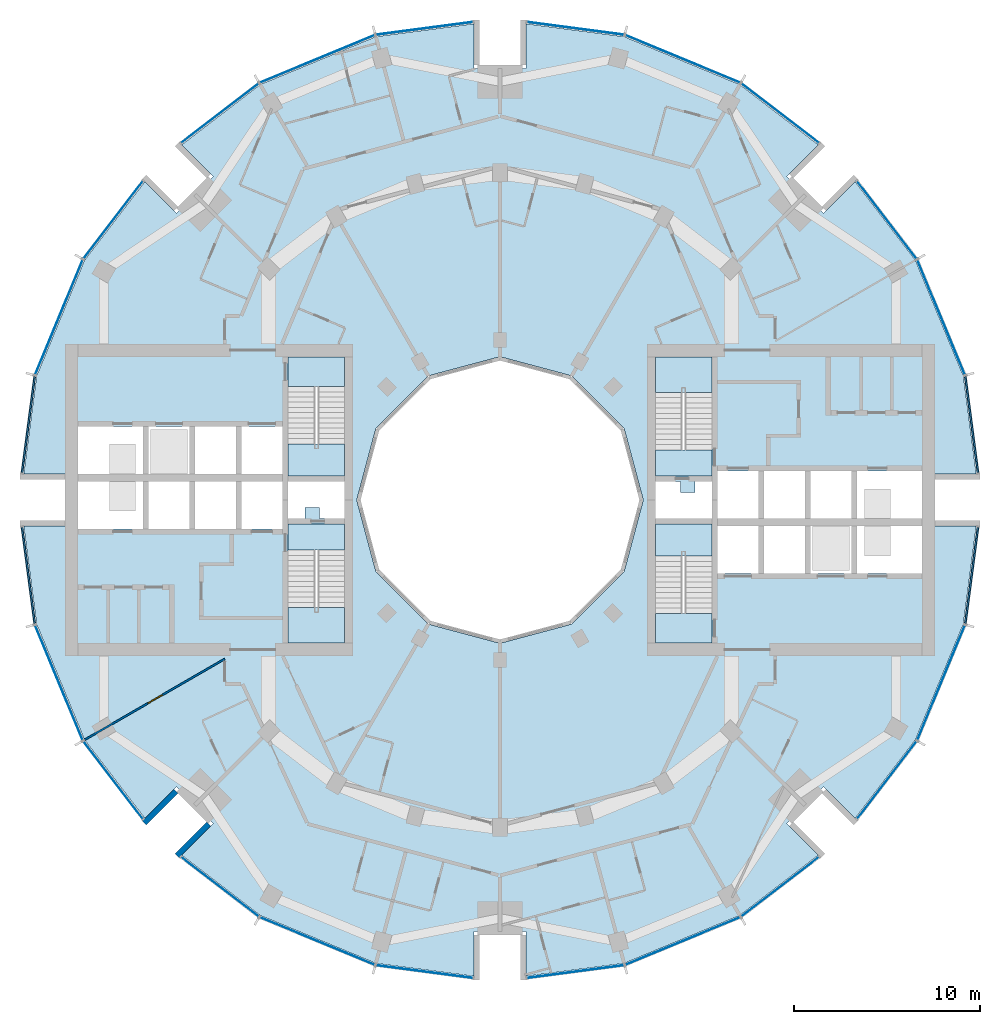
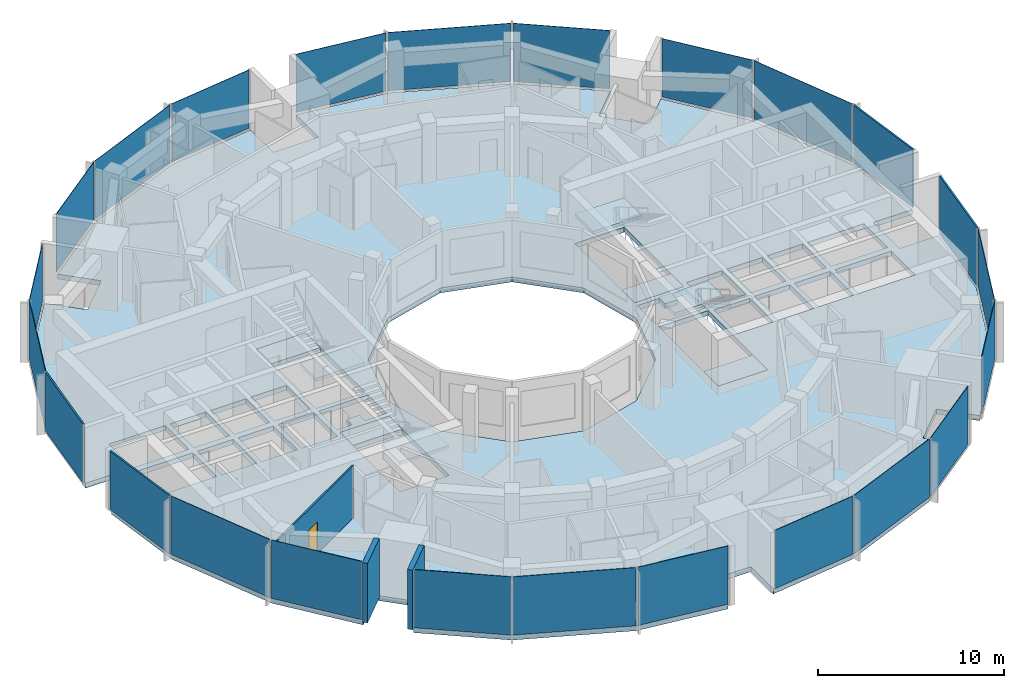
# One storey, part 7 of 15: 24 plates, 9 slabs, 3 walls, 1 door, 1 opening, 28 elements without a shape of their own.
"""IFC4 building model written with IfcOpenShell, lengths in metres."""

from ifc_helpers import new_model, si_unit, direction, frame, frame_2d, origin, origin_2d, place, context, subcontext, project, spatial, polyline, rectangle, outline, extrude, material, layer, layer_set, type_object, element, fill, aggregate, save


model = new_model("IFC4")

# Units and contexts
model_context = context("Model", 3, precision=1e-05, world=origin(), true_north=direction((0.0, 1.0)))
body_context = subcontext(model_context, "Body", "Model", "MODEL_VIEW")
ifc_project = project(units=[si_unit("LENGTHUNIT", "METRE"), si_unit("AREAUNIT", "SQUARE_METRE"), si_unit("VOLUMEUNIT", "CUBIC_METRE"), si_unit("PLANEANGLEUNIT", "RADIAN"), si_unit("MASSUNIT", "GRAM", prefix="KILO")], contexts=[model_context])

# Site, building, storey
site_placement = place(None, origin())
site = spatial("IfcSite", under=ifc_project, at=site_placement, CompositionType="ELEMENT")
building_placement = place(site_placement, origin())
building = spatial("IfcBuilding", under=site, at=building_placement, Name="Torre Brocal", CompositionType="ELEMENT")
storey_placement = place(building_placement, frame((0.0, 0.0, 130.199951171875)))
storey = spatial("IfcBuildingStorey", under=building, at=storey_placement, Name="L30", CompositionType="ELEMENT", Elevation=130.199951171875)

# Curtain wall, plate
ifc_material_1 = material(Name="Aluminium and glass", Category="aluminium")
ifc_layer_1 = layer(ifc_material_1, 0.199951171875)
ifc_layer_set_1 = layer_set([ifc_layer_1], Name="Aluminium and glass")
curtain_wall_type_1 = type_object("IfcCurtainWallType", Name="CW-1 CURTAIN WALL 3900 HIGH", PredefinedType="NOTDEFINED", material=ifc_layer_set_1)
curtain_wall_1_placement = place(storey_placement, origin())
curtain_wall_1 = element("IfcCurtainWall", 1, at=curtain_wall_1_placement, inside=storey, type_object=curtain_wall_type_1, Name="CW-1 RUN 2", PredefinedType="NOTDEFINED")
ifc_material_2 = material(Name="Glass, dark tinted laminated", Category="glass")
ifc_layer_2 = layer(ifc_material_2, 0.031982421875)
ifc_layer_set_2 = layer_set([ifc_layer_2], Name="Glass, dark tinted laminated")
plate_type_1 = type_object("IfcPlateType", Name="CW-1 GLASS PANEL 32", PredefinedType="CURTAIN_PANEL", material=ifc_layer_set_2)
plate_1_placement = place(storey_placement, frame((103.722900390625, 84.826416015625, 0.080078125), z_axis=(0.0, 0.0, 1.0), x_axis=(-0.382683432333, 0.923879532525, 0.0)))
plate_1 = element("IfcPlate", 2, at=plate_1_placement, type_object=plate_type_1, Name="CW1-3 panel 1.1", PredefinedType="CURTAIN_PANEL", context=body_context, shape_type="SweptSolid", body=[
    extrude(rectangle(XDim=6.64111328125, YDim=0.031982421875, at=origin_2d()), origin(), (0.0, 0.0, 1.0), 3.820068359375),
])
aggregate(curtain_wall_1, [plate_1])

curtain_wall_2_placement = place(storey_placement, origin())
curtain_wall_2 = element("IfcCurtainWall", 3, at=curtain_wall_2_placement, inside=storey, type_object=curtain_wall_type_1, Name="CW-1 RUN 3", PredefinedType="NOTDEFINED")
plate_2_placement = place(storey_placement, frame((100.80126953125, 90.0712890625, 0.080078125), z_axis=(0.0, 0.0, 1.0), x_axis=(-0.60876142905, 0.793353340259, 0.0)))
plate_2 = element("IfcPlate", 4, at=plate_2_placement, type_object=plate_type_1, Name="CW1-3 panel 1.1", PredefinedType="CURTAIN_PANEL", context=body_context, shape_type="SweptSolid", body=[
    extrude(rectangle(XDim=5.22900390625, YDim=0.031982421875, at=origin_2d()), origin(), (0.0, 0.0, 1.0), 3.820068359375),
])
aggregate(curtain_wall_2, [plate_2])

curtain_wall_3_placement = place(storey_placement, origin())
curtain_wall_3 = element("IfcCurtainWall", 5, at=curtain_wall_3_placement, inside=storey, type_object=curtain_wall_type_1, Name="CW-1 RUN 4", PredefinedType="NOTDEFINED")
plate_3_placement = place(storey_placement, frame((95.0712890625, 95.80126953125, 0.080078125), z_axis=(0.0, 0.0, 1.0), x_axis=(-0.793353340259, 0.60876142905, 0.0)))
plate_3 = element("IfcPlate", 6, at=plate_3_placement, type_object=plate_type_1, Name="CW1-3 panel 1.1", PredefinedType="CURTAIN_PANEL", context=body_context, shape_type="SweptSolid", body=[
    extrude(rectangle(XDim=5.22900390625, YDim=0.031982421875, at=origin_2d()), origin(), (0.0, 0.0, 1.0), 3.820068359375),
])
aggregate(curtain_wall_3, [plate_3])

curtain_wall_4_placement = place(storey_placement, origin())
curtain_wall_4 = element("IfcCurtainWall", 7, at=curtain_wall_4_placement, inside=storey, type_object=curtain_wall_type_1, Name="CW-1 RUN 5", PredefinedType="NOTDEFINED")
plate_4_placement = place(storey_placement, frame((89.826416015625, 98.722900390625, 0.080078125), z_axis=(0.0, 0.0, 1.0), x_axis=(-0.923879532525, 0.382683432333, 0.0)))
plate_4 = element("IfcPlate", 8, at=plate_4_placement, type_object=plate_type_1, Name="CW1-3 panel 1.1", PredefinedType="CURTAIN_PANEL", context=body_context, shape_type="SweptSolid", body=[
    extrude(rectangle(XDim=6.64111328125, YDim=0.031982421875, at=origin_2d()), origin(), (0.0, 0.0, 1.0), 3.820068359375),
])
aggregate(curtain_wall_4, [plate_4])

curtain_wall_5_placement = place(storey_placement, origin())
curtain_wall_5 = element("IfcCurtainWall", 9, at=curtain_wall_5_placement, inside=storey, type_object=curtain_wall_type_1, Name="CW-1 RUN 6", PredefinedType="NOTDEFINED")
plate_5_placement = place(storey_placement, frame((84.051513671875, 100.36572265625, 0.080078125), z_axis=(0.0, 0.0, 1.0), x_axis=(-0.991444861374, 0.13052619222, 0.0)))
plate_5 = element("IfcPlate", 10, at=plate_5_placement, type_object=plate_type_1, Name="CW1-3 panel 1.1", PredefinedType="CURTAIN_PANEL", context=body_context, shape_type="SweptSolid", body=[
    extrude(rectangle(XDim=5.22900390625, YDim=0.031982421875, at=origin_2d()), origin(), (0.0, 0.0, 1.0), 3.820068359375),
])
aggregate(curtain_wall_5, [plate_5])

curtain_wall_6_placement = place(storey_placement, origin())
curtain_wall_6 = element("IfcCurtainWall", 11, at=curtain_wall_6_placement, inside=storey, type_object=curtain_wall_type_1, Name="CW-1 RUN 7", PredefinedType="NOTDEFINED")
plate_6_placement = place(storey_placement, frame((75.948486328125, 100.36572265625, 0.080078125), z_axis=(0.0, 0.0, 1.0), x_axis=(-0.991444861374, -0.13052619222, 0.0)))
plate_6 = element("IfcPlate", 12, at=plate_6_placement, type_object=plate_type_1, Name="CW1-3 panel 1.1", PredefinedType="CURTAIN_PANEL", context=body_context, shape_type="SweptSolid", body=[
    extrude(rectangle(XDim=5.22900390625, YDim=0.031982421875, at=origin_2d()), origin(), (0.0, 0.0, 1.0), 3.820068359375),
])
aggregate(curtain_wall_6, [plate_6])

curtain_wall_7_placement = place(storey_placement, origin())
curtain_wall_7 = element("IfcCurtainWall", 13, at=curtain_wall_7_placement, inside=storey, type_object=curtain_wall_type_1, Name="CW-1 RUN 8", PredefinedType="NOTDEFINED")
plate_7_placement = place(storey_placement, frame((70.173583984375, 98.722900390625, 0.080078125), z_axis=(0.0, 0.0, 1.0), x_axis=(-0.923879532525, -0.382683432333, 0.0)))
plate_7 = element("IfcPlate", 14, at=plate_7_placement, type_object=plate_type_1, Name="CW1-3 panel 1.1", PredefinedType="CURTAIN_PANEL", context=body_context, shape_type="SweptSolid", body=[
    extrude(rectangle(XDim=6.64111328125, YDim=0.031982421875, at=origin_2d()), origin(), (0.0, 0.0, 1.0), 3.820068359375),
])
aggregate(curtain_wall_7, [plate_7])

curtain_wall_8_placement = place(storey_placement, origin())
curtain_wall_8 = element("IfcCurtainWall", 15, at=curtain_wall_8_placement, inside=storey, type_object=curtain_wall_type_1, Name="CW-1 RUN 9", PredefinedType="NOTDEFINED")
plate_8_placement = place(storey_placement, frame((64.9287109375, 95.80126953125, 0.080078125), z_axis=(0.0, 0.0, 1.0), x_axis=(-0.793353340259, -0.60876142905, 0.0)))
plate_8 = element("IfcPlate", 16, at=plate_8_placement, type_object=plate_type_1, Name="CW1-3 panel 1.1", PredefinedType="CURTAIN_PANEL", context=body_context, shape_type="SweptSolid", body=[
    extrude(rectangle(XDim=5.22900390625, YDim=0.031982421875, at=origin_2d()), origin(), (0.0, 0.0, 1.0), 3.820068359375),
])
aggregate(curtain_wall_8, [plate_8])

curtain_wall_9_placement = place(storey_placement, origin())
curtain_wall_9 = element("IfcCurtainWall", 17, at=curtain_wall_9_placement, inside=storey, type_object=curtain_wall_type_1, Name="CW-1 RUN 10", PredefinedType="NOTDEFINED")
plate_9_placement = place(storey_placement, frame((59.19873046875, 90.0712890625, 0.080078125), z_axis=(0.0, 0.0, 1.0), x_axis=(-0.60876142905, -0.793353340259, 0.0)))
plate_9 = element("IfcPlate", 18, at=plate_9_placement, type_object=plate_type_1, Name="CW1-3 panel 1.1", PredefinedType="CURTAIN_PANEL", context=body_context, shape_type="SweptSolid", body=[
    extrude(rectangle(XDim=5.22900390625, YDim=0.031982421875, at=origin_2d()), origin(), (0.0, 0.0, 1.0), 3.820068359375),
])
aggregate(curtain_wall_9, [plate_9])

curtain_wall_10_placement = place(storey_placement, origin())
curtain_wall_10 = element("IfcCurtainWall", 19, at=curtain_wall_10_placement, inside=storey, type_object=curtain_wall_type_1, Name="CW-1 RUN 11", PredefinedType="NOTDEFINED")
plate_10_placement = place(storey_placement, frame((56.277099609375, 84.826416015625, 0.080078125), z_axis=(0.0, 0.0, 1.0), x_axis=(-0.382683432333, -0.923879532525, 0.0)))
plate_10 = element("IfcPlate", 20, at=plate_10_placement, type_object=plate_type_1, Name="CW1-3 panel 1.1", PredefinedType="CURTAIN_PANEL", context=body_context, shape_type="SweptSolid", body=[
    extrude(rectangle(XDim=6.64111328125, YDim=0.031982421875, at=origin_2d()), origin(), (0.0, 0.0, 1.0), 3.820068359375),
])
aggregate(curtain_wall_10, [plate_10])

curtain_wall_11_placement = place(storey_placement, origin())
curtain_wall_11 = element("IfcCurtainWall", 21, at=curtain_wall_11_placement, inside=storey, type_object=curtain_wall_type_1, Name="CW-1 RUN 14", PredefinedType="NOTDEFINED")
plate_11_placement = place(storey_placement, frame((56.277099609375, 65.173583984375, 0.080078125), z_axis=(0.0, 0.0, 1.0), x_axis=(0.382683432333, -0.923879532525, 0.0)))
plate_11 = element("IfcPlate", 22, at=plate_11_placement, type_object=plate_type_1, Name="CW1-3 panel 1.1", PredefinedType="CURTAIN_PANEL", context=body_context, shape_type="SweptSolid", body=[
    extrude(rectangle(XDim=6.64111328125, YDim=0.031982421875, at=origin_2d()), origin(), (0.0, 0.0, 1.0), 3.820068359375),
])
aggregate(curtain_wall_11, [plate_11])

curtain_wall_12_placement = place(storey_placement, origin())
curtain_wall_12 = element("IfcCurtainWall", 23, at=curtain_wall_12_placement, inside=storey, type_object=curtain_wall_type_1, Name="CW-1 RUN 15", PredefinedType="NOTDEFINED")
plate_12_placement = place(storey_placement, frame((59.19873046875, 59.9287109375, 0.080078125), z_axis=(0.0, 0.0, 1.0), x_axis=(0.60876142905, -0.793353340259, 0.0)))
plate_12 = element("IfcPlate", 24, at=plate_12_placement, type_object=plate_type_1, Name="CW1-3 panel 1.1", PredefinedType="CURTAIN_PANEL", context=body_context, shape_type="SweptSolid", body=[
    extrude(rectangle(XDim=5.22900390625, YDim=0.031982421875, at=origin_2d()), origin(), (0.0, 0.0, 1.0), 3.820068359375),
])
aggregate(curtain_wall_12, [plate_12])

curtain_wall_13_placement = place(storey_placement, origin())
curtain_wall_13 = element("IfcCurtainWall", 25, at=curtain_wall_13_placement, inside=storey, type_object=curtain_wall_type_1, Name="CW-1 RUN 16", PredefinedType="NOTDEFINED")
plate_13_placement = place(storey_placement, frame((64.9287109375, 54.19873046875, 0.080078125), z_axis=(0.0, 0.0, 1.0), x_axis=(0.793353340259, -0.60876142905, 0.0)))
plate_13 = element("IfcPlate", 26, at=plate_13_placement, type_object=plate_type_1, Name="CW1-3 panel 1.1", PredefinedType="CURTAIN_PANEL", context=body_context, shape_type="SweptSolid", body=[
    extrude(rectangle(XDim=5.22900390625, YDim=0.031982421875, at=origin_2d()), origin(), (0.0, 0.0, 1.0), 3.820068359375),
])
aggregate(curtain_wall_13, [plate_13])

curtain_wall_14_placement = place(storey_placement, origin())
curtain_wall_14 = element("IfcCurtainWall", 27, at=curtain_wall_14_placement, inside=storey, type_object=curtain_wall_type_1, Name="CW-1 RUN 17", PredefinedType="NOTDEFINED")
plate_14_placement = place(storey_placement, frame((70.173583984375, 51.277099609375, 0.080078125), z_axis=(0.0, 0.0, 1.0), x_axis=(0.923879532525, -0.382683432333, 0.0)))
plate_14 = element("IfcPlate", 28, at=plate_14_placement, type_object=plate_type_1, Name="CW1-3 panel 1.1", PredefinedType="CURTAIN_PANEL", context=body_context, shape_type="SweptSolid", body=[
    extrude(rectangle(XDim=6.64111328125, YDim=0.031982421875, at=origin_2d()), origin(), (0.0, 0.0, 1.0), 3.820068359375),
])
aggregate(curtain_wall_14, [plate_14])

curtain_wall_15_placement = place(storey_placement, origin())
curtain_wall_15 = element("IfcCurtainWall", 29, at=curtain_wall_15_placement, inside=storey, type_object=curtain_wall_type_1, Name="CW-1 RUN 18", PredefinedType="NOTDEFINED")
plate_15_placement = place(storey_placement, frame((75.948486328125, 49.63427734375, 0.080078125), z_axis=(0.0, 0.0, 1.0), x_axis=(0.991444861374, -0.13052619222, 0.0)))
plate_15 = element("IfcPlate", 30, at=plate_15_placement, type_object=plate_type_1, Name="CW1-3 panel 1.1", PredefinedType="CURTAIN_PANEL", context=body_context, shape_type="SweptSolid", body=[
    extrude(rectangle(XDim=5.22900390625, YDim=0.031982421875, at=origin_2d()), origin(), (0.0, 0.0, 1.0), 3.820068359375),
])
aggregate(curtain_wall_15, [plate_15])

curtain_wall_16_placement = place(storey_placement, origin())
curtain_wall_16 = element("IfcCurtainWall", 31, at=curtain_wall_16_placement, inside=storey, type_object=curtain_wall_type_1, Name="CW-1 RUN 19", PredefinedType="NOTDEFINED")
plate_16_placement = place(storey_placement, frame((84.051513671875, 49.63427734375, 0.080078125), z_axis=(0.0, 0.0, 1.0), x_axis=(0.991444861374, 0.13052619222, 0.0)))
plate_16 = element("IfcPlate", 32, at=plate_16_placement, type_object=plate_type_1, Name="CW1-3 panel 1.1", PredefinedType="CURTAIN_PANEL", context=body_context, shape_type="SweptSolid", body=[
    extrude(rectangle(XDim=5.22900390625, YDim=0.031982421875, at=origin_2d()), origin(), (0.0, 0.0, 1.0), 3.820068359375),
])
aggregate(curtain_wall_16, [plate_16])

curtain_wall_17_placement = place(storey_placement, origin())
curtain_wall_17 = element("IfcCurtainWall", 33, at=curtain_wall_17_placement, inside=storey, type_object=curtain_wall_type_1, Name="CW-1 RUN 20", PredefinedType="NOTDEFINED")
plate_17_placement = place(storey_placement, frame((89.826416015625, 51.277099609375, 0.080078125), z_axis=(0.0, 0.0, 1.0), x_axis=(0.923879532525, 0.382683432333, 0.0)))
plate_17 = element("IfcPlate", 34, at=plate_17_placement, type_object=plate_type_1, Name="CW1-3 panel 1.1", PredefinedType="CURTAIN_PANEL", context=body_context, shape_type="SweptSolid", body=[
    extrude(rectangle(XDim=6.64111328125, YDim=0.031982421875, at=origin_2d()), origin(), (0.0, 0.0, 1.0), 3.820068359375),
])
aggregate(curtain_wall_17, [plate_17])

curtain_wall_18_placement = place(storey_placement, origin())
curtain_wall_18 = element("IfcCurtainWall", 35, at=curtain_wall_18_placement, inside=storey, type_object=curtain_wall_type_1, Name="CW-1 RUN 21", PredefinedType="NOTDEFINED")
plate_18_placement = place(storey_placement, frame((95.0712890625, 54.19873046875, 0.080078125), z_axis=(0.0, 0.0, 1.0), x_axis=(0.793353340259, 0.60876142905, 0.0)))
plate_18 = element("IfcPlate", 36, at=plate_18_placement, type_object=plate_type_1, Name="CW1-3 panel 1.1", PredefinedType="CURTAIN_PANEL", context=body_context, shape_type="SweptSolid", body=[
    extrude(rectangle(XDim=5.22900390625, YDim=0.031982421875, at=origin_2d()), origin(), (0.0, 0.0, 1.0), 3.820068359375),
])
aggregate(curtain_wall_18, [plate_18])

curtain_wall_19_placement = place(storey_placement, origin())
curtain_wall_19 = element("IfcCurtainWall", 37, at=curtain_wall_19_placement, inside=storey, type_object=curtain_wall_type_1, Name="CW-1 RUN 22", PredefinedType="NOTDEFINED")
plate_19_placement = place(storey_placement, frame((100.80126953125, 59.9287109375, 0.080078125), z_axis=(0.0, 0.0, 1.0), x_axis=(0.60876142905, 0.793353340259, 0.0)))
plate_19 = element("IfcPlate", 38, at=plate_19_placement, type_object=plate_type_1, Name="CW1-3 panel 1.1", PredefinedType="CURTAIN_PANEL", context=body_context, shape_type="SweptSolid", body=[
    extrude(rectangle(XDim=5.22900390625, YDim=0.031982421875, at=origin_2d()), origin(), (0.0, 0.0, 1.0), 3.820068359375),
])
aggregate(curtain_wall_19, [plate_19])

curtain_wall_20_placement = place(storey_placement, origin())
curtain_wall_20 = element("IfcCurtainWall", 39, at=curtain_wall_20_placement, inside=storey, type_object=curtain_wall_type_1, Name="CW-1 RUN 23", PredefinedType="NOTDEFINED")
plate_20_placement = place(storey_placement, frame((103.722900390625, 65.173583984375, 0.080078125), z_axis=(0.0, 0.0, 1.0), x_axis=(0.382683432333, 0.923879532525, 0.0)))
plate_20 = element("IfcPlate", 40, at=plate_20_placement, type_object=plate_type_1, Name="CW1-3 panel 1.1", PredefinedType="CURTAIN_PANEL", context=body_context, shape_type="SweptSolid", body=[
    extrude(rectangle(XDim=6.64111328125, YDim=0.031982421875, at=origin_2d()), origin(), (0.0, 0.0, 1.0), 3.820068359375),
])
aggregate(curtain_wall_20, [plate_20])

ifc_material_3 = material(Name="Aluminium and glass", Category="aluminium")
ifc_layer_3 = layer(ifc_material_3, 0.199951171875)
ifc_layer_set_3 = layer_set([ifc_layer_3], Name="Aluminium and glass")
curtain_wall_type_2 = type_object("IfcCurtainWallType", Name="CW-1B CURTAIN WALL 3900 HIGH", PredefinedType="NOTDEFINED", material=ifc_layer_set_3)
curtain_wall_21_placement = place(storey_placement, origin())
curtain_wall_21 = element("IfcCurtainWall", 41, at=curtain_wall_21_placement, inside=storey, type_object=curtain_wall_type_2, Name="CW-1B RUN 1", PredefinedType="NOTDEFINED")
ifc_material_4 = material(Name="Aluminium composite panel", Category="aluminium")
ifc_layer_4 = layer(ifc_material_4, 0.10009765625)
ifc_layer_set_4 = layer_set([ifc_layer_4], Name="Aluminium composite panel")
plate_type_2 = type_object("IfcPlateType", Name="CW-1B OPAQUE PANEL 100", PredefinedType="CURTAIN_PANEL", material=ifc_layer_set_4)
plate_21_placement = place(storey_placement, frame((105.36572265625, 79.051513671875, 0.080078125), z_axis=(0.0, 0.0, 1.0), x_axis=(-0.13052619222, 0.991444861374, 0.0)))
plate_21 = element("IfcPlate", 42, at=plate_21_placement, type_object=plate_type_2, Name="CW1B-3 panel 1.1", PredefinedType="CURTAIN_PANEL", context=body_context, shape_type="SweptSolid", body=[
    extrude(rectangle(XDim=5.22900390625, YDim=0.10009765625, at=origin_2d()), origin(), (0.0, 0.0, 1.0), 3.820068359375),
])
aggregate(curtain_wall_21, [plate_21])

curtain_wall_22_placement = place(storey_placement, origin())
curtain_wall_22 = element("IfcCurtainWall", 43, at=curtain_wall_22_placement, inside=storey, type_object=curtain_wall_type_2, Name="CW-1B RUN 12", PredefinedType="NOTDEFINED")
plate_22_placement = place(storey_placement, frame((54.63427734375, 79.051513671875, 0.080078125), z_axis=(0.0, 0.0, 1.0), x_axis=(-0.13052619222, -0.991444861374, 0.0)))
plate_22 = element("IfcPlate", 44, at=plate_22_placement, type_object=plate_type_2, Name="CW1B-3 panel 1.1", PredefinedType="CURTAIN_PANEL", context=body_context, shape_type="SweptSolid", body=[
    extrude(rectangle(XDim=5.22900390625, YDim=0.10009765625, at=origin_2d()), origin(), (0.0, 0.0, 1.0), 3.820068359375),
])
aggregate(curtain_wall_22, [plate_22])

curtain_wall_23_placement = place(storey_placement, origin())
curtain_wall_23 = element("IfcCurtainWall", 45, at=curtain_wall_23_placement, inside=storey, type_object=curtain_wall_type_2, Name="CW-1B RUN 13", PredefinedType="NOTDEFINED")
plate_23_placement = place(storey_placement, frame((54.63427734375, 70.948486328125, 0.080078125), z_axis=(0.0, 0.0, 1.0), x_axis=(0.13052619222, -0.991444861374, 0.0)))
plate_23 = element("IfcPlate", 46, at=plate_23_placement, type_object=plate_type_2, Name="CW1B-3 panel 1.1", PredefinedType="CURTAIN_PANEL", context=body_context, shape_type="SweptSolid", body=[
    extrude(rectangle(XDim=5.22900390625, YDim=0.10009765625, at=origin_2d()), origin(), (0.0, 0.0, 1.0), 3.820068359375),
])
aggregate(curtain_wall_23, [plate_23])

curtain_wall_24_placement = place(storey_placement, origin())
curtain_wall_24 = element("IfcCurtainWall", 47, at=curtain_wall_24_placement, inside=storey, type_object=curtain_wall_type_2, Name="CW-1B RUN 24", PredefinedType="NOTDEFINED")
plate_24_placement = place(storey_placement, frame((105.36572265625, 70.948486328125, 0.080078125), z_axis=(0.0, 0.0, 1.0), x_axis=(0.13052619222, 0.991444861374, 0.0)))
plate_24 = element("IfcPlate", 48, at=plate_24_placement, type_object=plate_type_2, Name="CW1B-3 panel 1.1", PredefinedType="CURTAIN_PANEL", context=body_context, shape_type="SweptSolid", body=[
    extrude(rectangle(XDim=5.22900390625, YDim=0.10009765625, at=origin_2d()), origin(), (0.0, 0.0, 1.0), 3.820068359375),
])
aggregate(curtain_wall_24, [plate_24])

# Stair, slab
ifc_material_5 = material(Name="Concrete C50", Category="concrete")
stair_type = type_object("IfcStairType", Name="EXIT STAIR", PredefinedType="HALF_TURN_STAIR", material=ifc_material_5)
stair_1_placement = place(storey_placement, origin())
stair_1 = element("IfcStair", 49, at=stair_1_placement, inside=storey, type_object=stair_type, Name="EXIT STAIR ST1", PredefinedType="HALF_TURN_STAIR")
ifc_material_6 = material(Name="Concrete C50", Category="concrete")
ifc_layer_5 = layer(ifc_material_6, 0.320068359375)
ifc_layer_set_5 = layer_set([ifc_layer_5], Name="Concrete C50")
slab_type_1 = type_object("IfcSlabType", Name="FLOOR LANDING 320", PredefinedType="LANDING", material=ifc_layer_set_5)
slab_1_placement = place(storey_placement, frame((0.0, 0.0, -0.320068359375)))
slab_1 = element("IfcSlab", 50, at=slab_1_placement, type_object=slab_type_1, Name="ST1 landing 1", PredefinedType="LANDING", context=body_context, shape_type="SweptSolid", body=[
    extrude(outline(polyline([(88.35009765625, 76.300048828125), (91.39990234375, 76.300048828125), (91.39990234375, 77.699951171875), (88.35009765625, 77.699951171875), (88.35009765625, 76.300048828125)])), origin(), (0.0, 0.0, 1.0), 0.320068359375),
])

stair_2_placement = place(storey_placement, origin())
stair_2 = element("IfcStair", 51, at=stair_2_placement, inside=storey, type_object=stair_type, Name="EXIT STAIR ST2", PredefinedType="HALF_TURN_STAIR")
slab_2_placement = place(storey_placement, frame((0.0, 0.0, -0.320068359375)))
slab_2 = element("IfcSlab", 52, at=slab_2_placement, type_object=slab_type_1, Name="ST2 landing 1", PredefinedType="LANDING", context=body_context, shape_type="SweptSolid", body=[
    extrude(outline(polyline([(88.35009765625, 67.300048828125), (91.39990234375, 67.300048828125), (91.39990234375, 68.89990234375), (88.35009765625, 68.89990234375), (88.35009765625, 67.300048828125)])), origin(), (0.0, 0.0, 1.0), 0.320068359375),
])

stair_3_placement = place(storey_placement, origin())
stair_3 = element("IfcStair", 53, at=stair_3_placement, inside=storey, type_object=stair_type, Name="EXIT STAIR ST3", PredefinedType="HALF_TURN_STAIR")
slab_3_placement = place(storey_placement, frame((0.0, 0.0, -0.320068359375)))
slab_3 = element("IfcSlab", 54, at=slab_3_placement, type_object=slab_type_1, Name="ST3 landing 1", PredefinedType="LANDING", context=body_context, shape_type="SweptSolid", body=[
    extrude(outline(polyline([(71.64990234375, 73.699951171875), (68.60009765625, 73.699951171875), (68.60009765625, 72.300048828125), (71.64990234375, 72.300048828125), (71.64990234375, 73.699951171875)])), origin(), (0.0, 0.0, 1.0), 0.320068359375),
])

stair_4_placement = place(storey_placement, origin())
stair_4 = element("IfcStair", 55, at=stair_4_placement, inside=storey, type_object=stair_type, Name="EXIT STAIR ST4", PredefinedType="HALF_TURN_STAIR")
slab_4_placement = place(storey_placement, frame((0.0, 0.0, -0.320068359375)))
slab_4 = element("IfcSlab", 56, at=slab_4_placement, type_object=slab_type_1, Name="ST4 landing 1", PredefinedType="LANDING", context=body_context, shape_type="SweptSolid", body=[
    extrude(outline(polyline([(71.64990234375, 82.699951171875), (68.60009765625, 82.699951171875), (68.60009765625, 81.10009765625), (71.64990234375, 81.10009765625), (71.64990234375, 82.699951171875)])), origin(), (0.0, 0.0, 1.0), 0.320068359375),
])

# Slab
ifc_material_7 = material(Name="Concrete C50", Category="concrete")
ifc_layer_6 = layer(ifc_material_7, 0.199951171875)
ifc_layer_set_6 = layer_set([ifc_layer_6], Name="Concrete C50")
slab_type_2 = type_object("IfcSlabType", Name="MID LANDING +1950", PredefinedType="LANDING", material=ifc_layer_set_6)
slab_5_placement = place(storey_placement, frame((0.0, 0.0, 1.75)))
slab_5 = element("IfcSlab", 57, at=slab_5_placement, type_object=slab_type_2, Name="ST1 landing 2", PredefinedType="LANDING", context=body_context, shape_type="SweptSolid", body=[
    extrude(outline(polyline([(88.35009765625, 80.780029296875), (91.39990234375, 80.780029296875), (91.39990234375, 82.699951171875), (88.35009765625, 82.699951171875), (88.35009765625, 80.780029296875)])), origin(), (0.0, 0.0, 1.0), 0.199951171875),
])

aggregate(stair_1, [slab_1, slab_5])

slab_6_placement = place(storey_placement, frame((0.0, 0.0, 1.75)))
slab_6 = element("IfcSlab", 58, at=slab_6_placement, type_object=slab_type_2, Name="ST2 landing 2", PredefinedType="LANDING", context=body_context, shape_type="SweptSolid", body=[
    extrude(outline(polyline([(88.35009765625, 71.97998046875), (91.39990234375, 71.97998046875), (91.39990234375, 73.699951171875), (88.35009765625, 73.699951171875), (88.35009765625, 71.97998046875)])), origin(), (0.0, 0.0, 1.0), 0.199951171875),
])

aggregate(stair_2, [slab_2, slab_6])

slab_7_placement = place(storey_placement, frame((0.0, 0.0, 1.75)))
slab_7 = element("IfcSlab", 59, at=slab_7_placement, type_object=slab_type_2, Name="ST3 landing 2", PredefinedType="LANDING", context=body_context, shape_type="SweptSolid", body=[
    extrude(outline(polyline([(71.64990234375, 69.219970703125), (68.60009765625, 69.219970703125), (68.60009765625, 67.300048828125), (71.64990234375, 67.300048828125), (71.64990234375, 69.219970703125)])), origin(), (0.0, 0.0, 1.0), 0.199951171875),
])

aggregate(stair_3, [slab_3, slab_7])

slab_8_placement = place(storey_placement, frame((0.0, 0.0, 1.75)))
slab_8 = element("IfcSlab", 60, at=slab_8_placement, type_object=slab_type_2, Name="ST4 landing 2", PredefinedType="LANDING", context=body_context, shape_type="SweptSolid", body=[
    extrude(outline(polyline([(71.64990234375, 78.02001953125), (68.60009765625, 78.02001953125), (68.60009765625, 76.300048828125), (71.64990234375, 76.300048828125), (71.64990234375, 78.02001953125)])), origin(), (0.0, 0.0, 1.0), 0.199951171875),
])

aggregate(stair_4, [slab_4, slab_8])

ifc_material_8 = material(Name="Concrete C45", Category="concrete")
ifc_layer_7 = layer(ifc_material_8, 0.320068359375)
ifc_layer_set_7 = layer_set([ifc_layer_7], Name="Concrete C45")
slab_type_3 = type_object("IfcSlabType", Name="PT FLOOR SLAB 320 C45", PredefinedType="FLOOR", material=ifc_layer_set_7)
slab_9_placement = place(storey_placement, frame((0.0, 0.0, -0.320068359375)))
element("IfcSlab", 61, at=slab_9_placement, inside=storey, type_object=slab_type_3, Name="Slab ST-05", PredefinedType="FLOOR", context=body_context, shape_type="SweptSolid", body=[
    extrude(outline(polyline([(103.199951171875, 76.39990234375), (103.199951171875, 73.60009765625), (105.614013671875, 73.60009765625), (104.919189453125, 68.322998046875), (102.342041015625, 62.100830078125), (99.101806640625, 57.878173828125), (97.394775390625, 59.5849609375), (95.4150390625, 57.605224609375), (97.121826171875, 55.898193359375), (92.899169921875, 52.657958984375), (86.677001953125, 50.080810546875), (81.39990234375, 49.385986328125), (81.39990234375, 51.800048828125), (78.60009765625, 51.800048828125), (78.60009765625, 49.385986328125), (73.322998046875, 50.080810546875), (67.100830078125, 52.657958984375), (62.878173828125, 55.898193359375), (64.5849609375, 57.605224609375), (62.605224609375, 59.5849609375), (60.898193359375, 57.878173828125), (57.657958984375, 62.100830078125), (55.080810546875, 68.322998046875), (54.385986328125, 73.60009765625), (56.800048828125, 73.60009765625), (56.800048828125, 76.39990234375), (54.385986328125, 76.39990234375), (55.080810546875, 81.677001953125), (57.657958984375, 87.899169921875), (60.898193359375, 92.121826171875), (62.605224609375, 90.4150390625), (64.5849609375, 92.394775390625), (62.878173828125, 94.101806640625), (67.100830078125, 97.342041015625), (73.322998046875, 99.919189453125), (78.60009765625, 100.614013671875), (78.60009765625, 98.199951171875), (81.39990234375, 98.199951171875), (81.39990234375, 100.614013671875), (86.677001953125, 99.919189453125), (92.899169921875, 97.342041015625), (97.121826171875, 94.101806640625), (95.4150390625, 92.394775390625), (97.394775390625, 90.4150390625), (99.101806640625, 92.121826171875), (102.342041015625, 87.899169921875), (104.919189453125, 81.677001953125), (105.614013671875, 76.39990234375), (103.199951171875, 76.39990234375)]), holes=[polyline([(102.699951171875, 74.0), (102.699951171875, 76.550048828125), (99.199951171875, 76.550048828125), (99.199951171875, 74.0), (102.699951171875, 74.0)]), polyline([(102.699951171875, 71.050048828125), (102.699951171875, 73.60009765625), (99.199951171875, 73.60009765625), (99.199951171875, 71.050048828125), (102.699951171875, 71.050048828125)]), polyline([(98.89990234375, 76.550048828125), (96.699951171875, 76.550048828125), (96.699951171875, 74.0), (98.89990234375, 74.0), (98.89990234375, 76.550048828125)]), polyline([(98.89990234375, 71.050048828125), (98.89990234375, 73.60009765625), (96.699951171875, 73.60009765625), (96.699951171875, 71.050048828125), (98.89990234375, 71.050048828125)]), polyline([(96.39990234375, 73.60009765625), (94.199951171875, 73.60009765625), (94.199951171875, 71.050048828125), (96.39990234375, 71.050048828125), (96.39990234375, 73.60009765625)]), polyline([(96.39990234375, 74.0), (96.39990234375, 76.550048828125), (94.199951171875, 76.550048828125), (94.199951171875, 74.0), (96.39990234375, 74.0)]), polyline([(93.89990234375, 73.60009765625), (91.699951171875, 73.60009765625), (91.699951171875, 71.050048828125), (93.89990234375, 71.050048828125), (93.89990234375, 73.60009765625)]), polyline([(93.89990234375, 74.0), (93.89990234375, 76.550048828125), (91.699951171875, 76.550048828125), (91.699951171875, 74.0), (93.89990234375, 74.0)]), polyline([(91.39990234375, 76.300048828125), (91.39990234375, 82.699951171875), (88.35009765625, 82.699951171875), (88.35009765625, 76.300048828125), (91.39990234375, 76.300048828125)]), polyline([(91.39990234375, 73.699951171875), (88.35009765625, 73.699951171875), (88.35009765625, 67.300048828125), (91.39990234375, 67.300048828125), (91.39990234375, 73.699951171875)]), polyline([(89.699951171875, 76.0), (88.35009765625, 76.0), (88.35009765625, 74.0), (91.39990234375, 74.0), (91.39990234375, 76.0), (90.5, 76.0), (90.5, 75.39990234375), (89.699951171875, 75.39990234375), (89.699951171875, 76.0)]), polyline([(80.0, 82.70703125), (76.146484375, 81.674560546875), (73.325439453125, 78.853515625), (72.29296875, 75.0), (73.325439453125, 71.146484375), (76.146484375, 68.325439453125), (80.0, 67.29296875), (83.853515625, 68.325439453125), (86.674560546875, 71.146484375), (87.70703125, 75.0), (86.674560546875, 78.853515625), (83.853515625, 81.674560546875), (80.0, 82.70703125)]), polyline([(68.60009765625, 82.699951171875), (68.60009765625, 76.300048828125), (71.64990234375, 76.300048828125), (71.64990234375, 82.699951171875), (68.60009765625, 82.699951171875)]), polyline([(70.300048828125, 74.0), (71.64990234375, 74.0), (71.64990234375, 76.0), (68.60009765625, 76.0), (68.60009765625, 74.0), (69.5, 74.0), (69.5, 74.60009765625), (70.300048828125, 74.60009765625), (70.300048828125, 74.0)]), polyline([(68.60009765625, 67.300048828125), (71.64990234375, 67.300048828125), (71.64990234375, 73.699951171875), (68.60009765625, 73.699951171875), (68.60009765625, 67.300048828125)]), polyline([(66.10009765625, 78.949951171875), (66.10009765625, 76.39990234375), (68.300048828125, 76.39990234375), (68.300048828125, 78.949951171875), (66.10009765625, 78.949951171875)]), polyline([(66.10009765625, 76.0), (66.10009765625, 73.449951171875), (68.300048828125, 73.449951171875), (68.300048828125, 76.0), (66.10009765625, 76.0)]), polyline([(63.60009765625, 76.0), (63.60009765625, 73.449951171875), (65.800048828125, 73.449951171875), (65.800048828125, 76.0), (63.60009765625, 76.0)]), polyline([(63.60009765625, 76.39990234375), (65.800048828125, 76.39990234375), (65.800048828125, 78.949951171875), (63.60009765625, 78.949951171875), (63.60009765625, 76.39990234375)]), polyline([(61.10009765625, 78.949951171875), (61.10009765625, 76.39990234375), (63.300048828125, 76.39990234375), (63.300048828125, 78.949951171875), (61.10009765625, 78.949951171875)]), polyline([(61.10009765625, 73.449951171875), (63.300048828125, 73.449951171875), (63.300048828125, 76.0), (61.10009765625, 76.0), (61.10009765625, 73.449951171875)]), polyline([(57.300048828125, 73.449951171875), (60.800048828125, 73.449951171875), (60.800048828125, 76.0), (57.300048828125, 76.0), (57.300048828125, 73.449951171875)]), polyline([(57.300048828125, 78.949951171875), (57.300048828125, 76.39990234375), (60.800048828125, 76.39990234375), (60.800048828125, 78.949951171875), (57.300048828125, 78.949951171875)])]), origin(), (0.0, 0.0, 1.0), 0.320068359375),
])

# Walls
ifc_material_9 = material(Name="Concrete C70", Category="concrete")
ifc_layer_8 = layer(ifc_material_9, 0.300048828125)
ifc_layer_set_8 = layer_set([ifc_layer_8], Name="Concrete C70")
wall_type_1 = type_object("IfcWallType", Name="NOTCH RETURN WALL 300 C70", PredefinedType="NOTDEFINED", material=ifc_layer_set_8)
for number, where, z_axis, x_axis, name in (
    (62, (62.56982421875, 59.337646484375, 0.0), (0.0, 0.0, 1.0), (-0.707106781187, -0.707106781187, 0.0), "NOTCH RETURN WALL"),
    (63, (64.337646484375, 57.56982421875, 0.0), (0.0, 0.0, 1.0), (-0.707106781187, -0.707106781187, 0.0), "NOTCH RETURN WALL"),
):
    element("IfcWall", number, at=place(storey_placement, frame(where, z_axis=z_axis, x_axis=x_axis)), inside=storey, type_object=wall_type_1, Name=name, PredefinedType="NOTDEFINED", context=body_context, shape_type="SweptSolid", body=[
        extrude(rectangle(XDim=2.415771484375, YDim=0.300048828125, at=frame_2d((1.2080078125, 0.0))), origin(), (0.0, 0.0, 1.0), 3.900146484375),
    ])

# Wall, opening, door
ifc_material_10 = material(Name="Gypsum board", Category="Gypsum")
ifc_layer_9 = layer(ifc_material_10, 0.10009765625)
ifc_layer_set_9 = layer_set([ifc_layer_9], Name="Gypsum board")
wall_type_2 = type_object("IfcWallType", Name="PARTITION 100", PredefinedType="PARTITIONING", material=ifc_layer_set_9)
wall_placement = place(storey_placement, frame((57.65869140625, 62.10107421875, 0.0), z_axis=(0.0, 0.0, 1.0), x_axis=(0.86602264145, 0.500004784474, 0.0)))
wall = element("IfcWall", 64, at=wall_placement, inside=storey, type_object=wall_type_2, Name="ROOM PARTITION", PredefinedType="PARTITIONING", context=body_context, shape_type="SweptSolid", body=[
    extrude(rectangle(XDim=8.7080078125, YDim=0.10009765625, at=frame_2d((4.35400390625, 0.0))), origin(), (0.0, 0.0, 1.0), 3.449951171875),
])
opening_placement = place(wall_placement, frame((3.928955078125, 0.0, 0.0)))
opening = element("IfcOpeningElement", 65, at=opening_placement, cuts=wall, Name="Opening E02-D40", PredefinedType="OPENING", context=body_context, shape_type="SweptSolid", body=[
    extrude(rectangle(XDim=0.89990234375, YDim=2.10009765625, at=frame_2d((0.449951171875, 1.050048828125))), frame((0.0, 0.06005859375, 0.0), z_axis=(0.0, -1.0, 0.0), x_axis=(1.0, 0.0, 0.0)), (0.0, 0.0, 1.0), 0.1201171875),
])
ifc_material_11 = material(Name="Timber", Category="wood")
door_type = type_object("IfcDoorType", Name="ROOM DOOR 900X2100", OperationType="SINGLE_SWING_LEFT", PredefinedType="DOOR", material=ifc_material_11)
door_placement = place(opening_placement, origin())
door = element("IfcDoor", 66, at=door_placement, inside=storey, type_object=door_type, Name="E02-D40", OperationType="SINGLE_SWING_RIGHT", OverallHeight=2.10009765625, OverallWidth=0.89990234375, PredefinedType="DOOR", context=body_context, shape_type="SweptSolid", body=[
    extrude(rectangle(XDim=0.89990234375, YDim=2.10009765625, at=frame_2d((0.449951171875, 1.050048828125))), frame((0.0, 0.02490234375, 0.0), z_axis=(0.0, -1.0, 0.0), x_axis=(1.0, 0.0, 0.0)), (0.0, 0.0, 1.0), 0.050048828125),
])
fill(opening, door)

save(model, "model.ifc")
